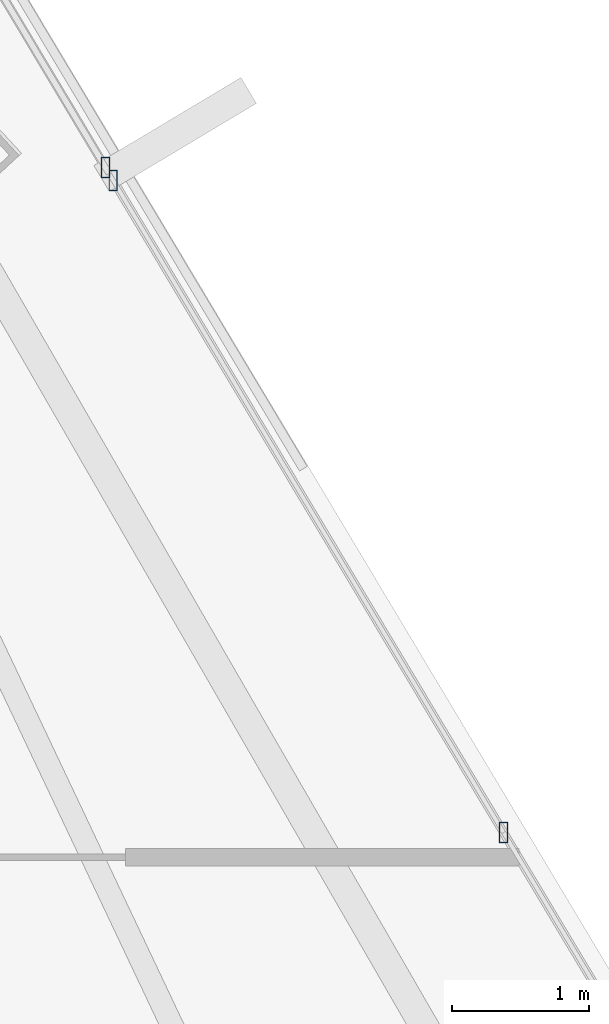
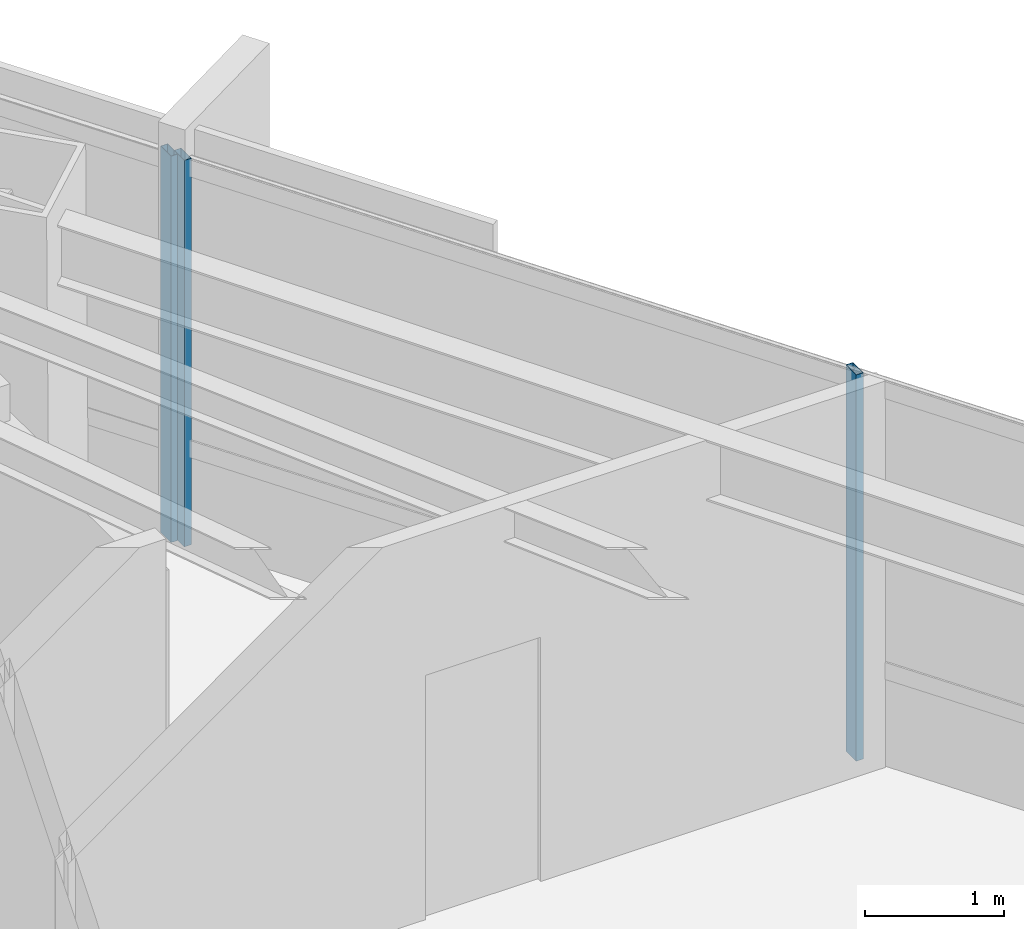
# One storey, part 22 of 41: 3 members, 2 elements without a shape of their own.
"""IFC4 building model written with IfcOpenShell, lengths in metres."""

from ifc_helpers import new_model, si_unit, direction, frame, origin, origin_2d, place, context, subcontext, project, spatial, hollow_rectangle, extrude, source, transform, mapped, material, material_profile, profile_set, type_object, type_shapes, element, aggregate, save


model = new_model("IFC4")

# Units and contexts
model_context = context("Model", 3, precision=1e-05, world=origin(), true_north=direction((0.0, 1.0)))
body_context = subcontext(model_context, "Body", "Model", "MODEL_VIEW")
ifc_project = project(units=[si_unit("LENGTHUNIT", "METRE"), si_unit("AREAUNIT", "SQUARE_METRE"), si_unit("VOLUMEUNIT", "CUBIC_METRE"), si_unit("PLANEANGLEUNIT", "RADIAN"), si_unit("MASSUNIT", "GRAM", prefix="KILO")], contexts=[model_context])

# Site, building, storey
site_placement = place(None, origin())
site = spatial("IfcSite", under=ifc_project, at=site_placement, CompositionType="ELEMENT")
building_placement = place(site_placement, origin())
building = spatial("IfcBuilding", under=site, at=building_placement, Name="Caelisora Broadcast Tower", CompositionType="ELEMENT")
storey_placement = place(building_placement, frame((0.0, 0.0, 165.800048828125)))
storey = spatial("IfcBuildingStorey", under=building, at=storey_placement, Name="L43", CompositionType="ELEMENT", Elevation=165.800048828125)

# Curtain wall, member
ifc_material_1 = material(Name="Unitised Aluminium Insulated Shadow-Box Spandrel Curtain Wall", Category="aluminium")
curtain_wall_type_1 = type_object("IfcCurtainWallType", Name="CW-SP2", PredefinedType="NOTDEFINED", material=ifc_material_1)
curtain_wall_1_placement = place(storey_placement, origin())
curtain_wall_1 = element("IfcCurtainWall", 1, at=curtain_wall_1_placement, inside=storey, type_object=curtain_wall_type_1, Name="L43 curtain wall CW-SP2", PredefinedType="NOTDEFINED")
ifc_material_2 = material(Name="Aluminium 6063-T6 Anodised Terracotta Bronze", Category="aluminium")
ifc_material_profile = material_profile(ifc_material_2, hollow_rectangle(XDim=0.06005859375, YDim=0.14990234375, WallThickness=0.00341796875, at=origin_2d()), Name="Aluminium 6063-T6 Anodised Terracotta Bronze")
ifc_profile_set = profile_set([ifc_material_profile], Name="Aluminium 6063-T6 Anodised Terracotta Bronze")
member_type = type_object("IfcMemberType", Name="CWM-03", PredefinedType="MULLION", material=ifc_profile_set)
shared_shape = source(origin(), body_context, "Body", "SweptSolid", [
    extrude(hollow_rectangle(XDim=0.06005859375, YDim=0.14990234375, WallThickness=0.00341796875, at=origin_2d()), origin(), (0.0, 0.0, 1.0), 3.39990234375),
])
type_shapes(member_type, [shared_shape])
member_1_placement = place(storey_placement, frame((56.288818359375, 27.34033203125, 0.0), z_axis=(0.0, 0.0, 1.0), x_axis=(1.0, 0.0, 0.0)))
member_1 = element("IfcMember", 2, at=member_1_placement, type_object=member_type, Name="L43-CW-B02 mullion #3", PredefinedType="MULLION", context=body_context, shape_type="MappedRepresentation", body=[
    mapped(shared_shape, transform((0.0, 0.0, 0.0), scale=1.0)),
])
aggregate(curtain_wall_1, [member_1])

# Curtain wall, members
ifc_material_3 = material(Name="Unitised Aluminium and Low-E Glass Curtain Wall", Category="glass")
curtain_wall_type_2 = type_object("IfcCurtainWallType", Name="CW-Z3", PredefinedType="NOTDEFINED", material=ifc_material_3)
curtain_wall_2_placement = place(storey_placement, origin())
curtain_wall_2 = element("IfcCurtainWall", 3, at=curtain_wall_2_placement, inside=storey, type_object=curtain_wall_type_2, Name="L43 curtain wall CW-Z3", PredefinedType="NOTDEFINED")
member_2_placement = place(storey_placement, frame((56.34521484375, 27.24609375, 0.0), z_axis=(0.0, 0.0, 1.0), x_axis=(1.0, 0.0, 0.0)))
member_2 = element("IfcMember", 4, at=member_2_placement, type_object=member_type, Name="L43-CW-B03 mullion #0", PredefinedType="MULLION", context=body_context, shape_type="MappedRepresentation", body=[
    mapped(shared_shape, transform((0.0, 0.0, 0.0), scale=1.0)),
])
member_3_placement = place(storey_placement, frame((59.19189453125, 22.490234375, 0.0), z_axis=(0.0, 0.0, 1.0), x_axis=(1.0, 0.0, 0.0)))
member_3 = element("IfcMember", 5, at=member_3_placement, type_object=member_type, Name="L43-CW-B03 mullion #1", PredefinedType="MULLION", context=body_context, shape_type="MappedRepresentation", body=[
    mapped(shared_shape, transform((0.0, 0.0, 0.0), scale=1.0)),
])
aggregate(curtain_wall_2, [member_2, member_3])

save(model, "model.ifc")
